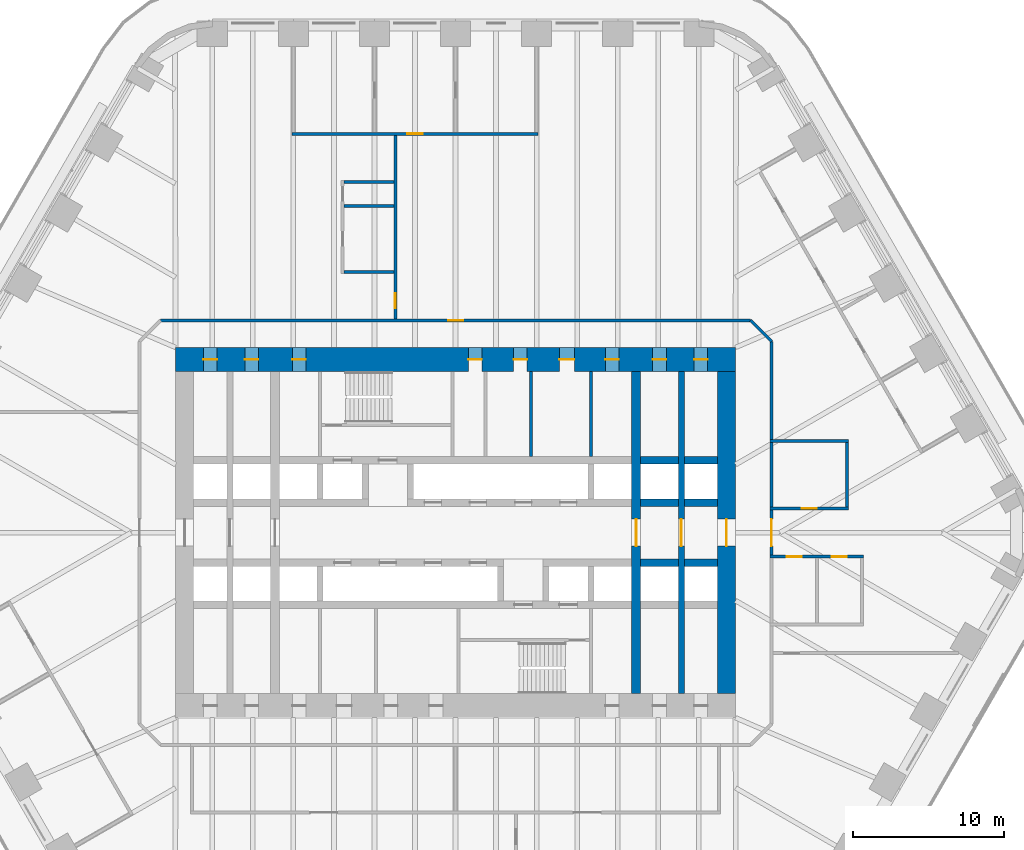
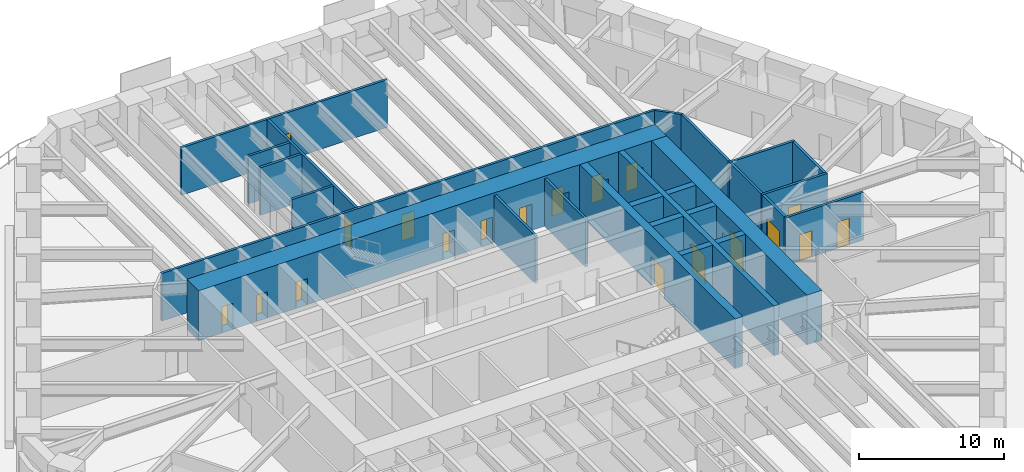
# One storey, part 19 of 24: 26 walls, 19 doors, 19 openings.
"""IFC4 building model written with IfcOpenShell, lengths in metres."""

from ifc_helpers import new_model, si_unit, direction, frame, frame_2d, origin, place, context, subcontext, project, spatial, rectangle, extrude, material, layer, layer_set, type_object, element, fill, save


model = new_model("IFC4")

# Units and contexts
model_context = context("Model", 3, precision=1e-05, world=origin(), true_north=direction((0.0, 1.0)))
body_context = subcontext(model_context, "Body", "Model", "MODEL_VIEW")
ifc_project = project(units=[si_unit("LENGTHUNIT", "METRE"), si_unit("AREAUNIT", "SQUARE_METRE"), si_unit("VOLUMEUNIT", "CUBIC_METRE"), si_unit("PLANEANGLEUNIT", "RADIAN"), si_unit("MASSUNIT", "GRAM", prefix="KILO")], contexts=[model_context])

# Site, building, storey
site_placement = place(None, origin())
site = spatial("IfcSite", under=ifc_project, at=site_placement, CompositionType="ELEMENT")
building_placement = place(site_placement, origin())
building = spatial("IfcBuilding", under=site, at=building_placement, Name="Tarfa Lantern Tower", CompositionType="ELEMENT")
storey_placement = place(building_placement, frame((0.0, 0.0, 73.89990234375)))
storey = spatial("IfcBuildingStorey", under=building, at=storey_placement, Name="L16", CompositionType="ELEMENT", Elevation=73.89990234375)

# Walls
ifc_material_1 = material(Name="Concrete blockwork", Category="masonry")
ifc_layer_1 = layer(ifc_material_1, 0.199951171875)
ifc_layer_set_1 = layer_set([ifc_layer_1], Name="IW1 BLOCKWORK PARTITION 200 EI 120")
wall_type_1 = type_object("IfcWallType", Name="IW1 BLOCKWORK PARTITION 200 EI 120", PredefinedType="PARTITIONING", material=ifc_layer_set_1)
for number, where, z_axis, x_axis, name in (
    (1, (9.0, 5.050048828125, 0.0), (0.0, 0.0, 1.0), (0.0, 1.0, 0.0), "Core partition"),
    (2, (5.0, 5.050048828125, 0.0), (0.0, 0.0, 1.0), (0.0, 1.0, 0.0), "Core partition"),
):
    element("IfcWall", number, at=place(storey_placement, frame(where, z_axis=z_axis, x_axis=x_axis)), inside=storey, type_object=wall_type_1, Name=name, PredefinedType="PARTITIONING", context=body_context, shape_type="SweptSolid", body=[
        extrude(rectangle(XDim=5.64990234375, YDim=0.199951171875, at=frame_2d((2.824951171875, 0.0))), origin(), (0.0, 0.0, 1.0), 4.0),
    ])

# Wall, opening, door
ifc_material_2 = material(Name="Gypsum board on steel studs", Category="steel")
ifc_layer_2 = layer(ifc_material_2, 0.2099609375)
ifc_layer_set_2 = layer_set([ifc_layer_2], Name="IW2 ACOUSTIC PARTITION 200")
wall_type_2 = type_object("IfcWallType", Name="IW2 ACOUSTIC PARTITION 200", PredefinedType="PARTITIONING", material=ifc_layer_set_2)
wall_1_placement = place(storey_placement, frame((5.488525390625, 26.5, 0.0), z_axis=(0.0, 0.0, 1.0), x_axis=(-1.0, 0.0, 0.0)))
wall_1 = element("IfcWall", 3, at=wall_1_placement, inside=storey, type_object=wall_type_2, Name="Partition", PredefinedType="PARTITIONING", context=body_context, shape_type="SweptSolid", body=[
    extrude(rectangle(XDim=16.36572265625, YDim=0.199951171875, at=frame_2d((8.182861328125, 0.0))), origin(), (0.0, 0.0, 1.0), 4.0),
])
opening_1_placement = place(wall_1_placement, frame((7.682861328125, 0.0, 0.0)))
opening_1 = element("IfcOpeningElement", 4, at=opening_1_placement, cuts=wall_1, Name="Opening D33", PredefinedType="OPENING", context=body_context, shape_type="SweptSolid", body=[
    extrude(rectangle(XDim=1.0, YDim=2.199951171875, at=frame_2d((0.5, 1.10009765625))), frame((0.0, 0.10986328125, 0.0), z_axis=(0.0, -1.0, 0.0), x_axis=(1.0, 0.0, 0.0)), (0.0, 0.0, 1.0), 0.219970703125),
])
ifc_material_3 = material(Name="Timber door", Category="wood")
door_type_1 = type_object("IfcDoorType", Name="DR1 ROOM DOOR 1000x2200", OperationType="SINGLE_SWING_LEFT", PredefinedType="DOOR", material=ifc_material_3)
door_1_placement = place(opening_1_placement, frame((1.0, 0.0, 0.0), z_axis=(0.0, 0.0, 1.0), x_axis=(-1.0, 0.0, 0.0)))
door_1 = element("IfcDoor", 5, at=door_1_placement, inside=storey, type_object=door_type_1, Name="Supplier reception door", OperationType="SINGLE_SWING_LEFT", OverallHeight=2.199951171875, OverallWidth=1.0, PredefinedType="DOOR", context=body_context, shape_type="SweptSolid", body=[
    extrude(rectangle(XDim=1.0, YDim=2.199951171875, at=frame_2d((0.5, 1.10009765625))), frame((0.0, 0.02490234375, 0.0), z_axis=(0.0, -1.0, 0.0), x_axis=(1.0, 0.0, 0.0)), (0.0, 0.0, 1.0), 0.050048828125),
])
fill(opening_1, door_1)

wall_2_placement = place(storey_placement, frame((20.89990234375, 1.60009765625, 0.0), z_axis=(0.0, 0.0, 1.0), x_axis=(1.0, 0.0, 0.0)))
wall_2 = element("IfcWall", 6, at=wall_2_placement, inside=storey, type_object=wall_type_2, Name="Partition", PredefinedType="PARTITIONING", context=body_context, shape_type="SweptSolid", body=[
    extrude(rectangle(XDim=5.2001953125, YDim=0.199951171875, at=frame_2d((2.60009765625, 0.0))), origin(), (0.0, 0.0, 1.0), 4.0),
])
opening_2_placement = place(wall_2_placement, frame((2.10009765625, 0.0, 0.0)))
opening_2 = element("IfcOpeningElement", 7, at=opening_2_placement, cuts=wall_2, Name="Opening D29", PredefinedType="OPENING", context=body_context, shape_type="SweptSolid", body=[
    extrude(rectangle(XDim=1.0, YDim=2.199951171875, at=frame_2d((0.5, 1.10009765625))), frame((0.0, 0.10986328125, 0.0), z_axis=(0.0, -1.0, 0.0), x_axis=(1.0, 0.0, 0.0)), (0.0, 0.0, 1.0), 0.219970703125),
])
door_2_placement = place(opening_2_placement, origin())
door_2 = element("IfcDoor", 8, at=door_2_placement, inside=storey, type_object=door_type_1, Name="Pantry door", OperationType="SINGLE_SWING_RIGHT", OverallHeight=2.199951171875, OverallWidth=1.0, PredefinedType="DOOR", context=body_context, shape_type="SweptSolid", body=[
    extrude(rectangle(XDim=1.0, YDim=2.199951171875, at=frame_2d((0.5, 1.10009765625))), frame((0.0, 0.02490234375, 0.0), z_axis=(0.0, -1.0, 0.0), x_axis=(1.0, 0.0, 0.0)), (0.0, 0.0, 1.0), 0.050048828125),
])
fill(opening_2, door_2)

# Walls
wall_3_placement = place(storey_placement, frame((20.89990234375, 6.10009765625, 0.0), z_axis=(0.0, 0.0, 1.0), x_axis=(1.0, 0.0, 0.0)))
element("IfcWall", 9, at=wall_3_placement, inside=storey, type_object=wall_type_2, Name="Partition", PredefinedType="PARTITIONING", context=body_context, shape_type="SweptSolid", body=[
    extrude(rectangle(XDim=5.2001953125, YDim=0.199951171875, at=frame_2d((2.60009765625, 0.0))), origin(), (0.0, 0.0, 1.0), 4.0),
])
for number, where, z_axis, x_axis, name in (
    (10, (21.0, 1.699951171875, 0.0), (0.0, 0.0, 1.0), (0.0, 1.0, 0.0), "Partition"),
    (11, (26.0, 1.699951171875, 0.0), (0.0, 0.0, 1.0), (0.0, 1.0, 0.0), "Partition"),
):
    element("IfcWall", number, at=place(storey_placement, frame(where, z_axis=z_axis, x_axis=x_axis)), inside=storey, type_object=wall_type_2, Name=name, PredefinedType="PARTITIONING", context=body_context, shape_type="SweptSolid", body=[
        extrude(rectangle(XDim=4.300048828125, YDim=0.199951171875, at=frame_2d((2.14990234375, 0.0))), origin(), (0.0, 0.0, 1.0), 4.0),
    ])

# Wall, openings, doors
wall_4_placement = place(storey_placement, frame((20.89990234375, -1.60009765625, 0.0), z_axis=(0.0, 0.0, 1.0), x_axis=(1.0, 0.0, 0.0)))
wall_4 = element("IfcWall", 12, at=wall_4_placement, inside=storey, type_object=wall_type_2, Name="Partition", PredefinedType="PARTITIONING", context=body_context, shape_type="SweptSolid", body=[
    extrude(rectangle(XDim=6.2001953125, YDim=0.199951171875, at=frame_2d((3.10009765625, 0.0))), origin(), (0.0, 0.0, 1.0), 4.0),
])
opening_3_placement = place(wall_4_placement, frame((1.10009765625, 0.0, 0.0)))
opening_3 = element("IfcOpeningElement", 13, at=opening_3_placement, cuts=wall_4, Name="Opening D30", PredefinedType="OPENING", context=body_context, shape_type="SweptSolid", body=[
    extrude(rectangle(XDim=1.0, YDim=2.199951171875, at=frame_2d((0.5, 1.10009765625))), frame((0.0, 0.10986328125, 0.0), z_axis=(0.0, -1.0, 0.0), x_axis=(1.0, 0.0, 0.0)), (0.0, 0.0, 1.0), 0.219970703125),
])
opening_4_placement = place(wall_4_placement, frame((4.10009765625, 0.0, 0.0)))
opening_4 = element("IfcOpeningElement", 14, at=opening_4_placement, cuts=wall_4, Name="Opening D31", PredefinedType="OPENING", context=body_context, shape_type="SweptSolid", body=[
    extrude(rectangle(XDim=1.0, YDim=2.199951171875, at=frame_2d((0.5, 1.10009765625))), frame((0.0, 0.10986328125, 0.0), z_axis=(0.0, -1.0, 0.0), x_axis=(1.0, 0.0, 0.0)), (0.0, 0.0, 1.0), 0.219970703125),
])
door_3_placement = place(opening_3_placement, frame((1.0, 0.0, 0.0), z_axis=(0.0, 0.0, 1.0), x_axis=(-1.0, 0.0, 0.0)))
door_3 = element("IfcDoor", 15, at=door_3_placement, inside=storey, type_object=door_type_1, Name="Buyer's office door", OperationType="SINGLE_SWING_LEFT", OverallHeight=2.199951171875, OverallWidth=1.0, PredefinedType="DOOR", context=body_context, shape_type="SweptSolid", body=[
    extrude(rectangle(XDim=1.0, YDim=2.199951171875, at=frame_2d((0.5, 1.10009765625))), frame((0.0, 0.02490234375, 0.0), z_axis=(0.0, -1.0, 0.0), x_axis=(1.0, 0.0, 0.0)), (0.0, 0.0, 1.0), 0.050048828125),
])
fill(opening_3, door_3)
door_4_placement = place(opening_4_placement, frame((1.0, 0.0, 0.0), z_axis=(0.0, 0.0, 1.0), x_axis=(-1.0, 0.0, 0.0)))
door_4 = element("IfcDoor", 16, at=door_4_placement, inside=storey, type_object=door_type_1, Name="Buyer's office door", OperationType="SINGLE_SWING_RIGHT", OverallHeight=2.199951171875, OverallWidth=1.0, PredefinedType="DOOR", context=body_context, shape_type="SweptSolid", body=[
    extrude(rectangle(XDim=1.0, YDim=2.199951171875, at=frame_2d((0.5, 1.10009765625))), frame((0.0, 0.02490234375, 0.0), z_axis=(0.0, -1.0, 0.0), x_axis=(1.0, 0.0, 0.0)), (0.0, 0.0, 1.0), 0.050048828125),
])
fill(opening_4, door_4)

# Wall, opening, door
wall_5_placement = place(storey_placement, frame((-19.60009765625, 14.10009765625, 0.0), z_axis=(0.0, 0.0, 1.0), x_axis=(1.0, 0.0, 0.0)))
wall_5 = element("IfcWall", 17, at=wall_5_placement, inside=storey, type_object=wall_type_2, Name="Partition", PredefinedType="PARTITIONING", context=body_context, shape_type="SweptSolid", body=[
    extrude(rectangle(XDim=39.2001953125, YDim=0.199951171875, at=frame_2d((19.60009765625, 0.0))), origin(), (0.0, 0.0, 1.0), 4.0),
])
opening_5_placement = place(wall_5_placement, frame((19.10009765625, 0.0, 0.0)))
opening_5 = element("IfcOpeningElement", 18, at=opening_5_placement, cuts=wall_5, Name="Opening D48", PredefinedType="OPENING", context=body_context, shape_type="SweptSolid", body=[
    extrude(rectangle(XDim=1.0, YDim=2.199951171875, at=frame_2d((0.5, 1.10009765625))), frame((0.0, 0.10986328125, 0.0), z_axis=(0.0, -1.0, 0.0), x_axis=(1.0, 0.0, 0.0)), (0.0, 0.0, 1.0), 0.219970703125),
])
door_5_placement = place(opening_5_placement, origin())
door_5 = element("IfcDoor", 19, at=door_5_placement, inside=storey, type_object=door_type_1, Name="Corridor door", OperationType="SINGLE_SWING_RIGHT", OverallHeight=2.199951171875, OverallWidth=1.0, PredefinedType="DOOR", context=body_context, shape_type="SweptSolid", body=[
    extrude(rectangle(XDim=1.0, YDim=2.199951171875, at=frame_2d((0.5, 1.10009765625))), frame((0.0, 0.02490234375, 0.0), z_axis=(0.0, -1.0, 0.0), x_axis=(1.0, 0.0, 0.0)), (0.0, 0.0, 1.0), 0.050048828125),
])
fill(opening_5, door_5)

# Wall
wall_6_placement = place(storey_placement, frame((19.60009765625, 14.10009765625, 0.0), z_axis=(0.0, 0.0, 1.0), x_axis=(0.707045124756, -0.707168432242, 0.0)))
element("IfcWall", 20, at=wall_6_placement, inside=storey, type_object=wall_type_2, Name="Partition", PredefinedType="PARTITIONING", context=body_context, shape_type="SweptSolid", body=[
    extrude(rectangle(XDim=1.97998046875, YDim=0.199951171875, at=frame_2d((0.989990234375, 0.0))), origin(), (0.0, 0.0, 1.0), 4.0),
])

# Wall, opening, door
wall_7_placement = place(storey_placement, frame((21.0, 1.4990234375, 0.0), z_axis=(0.0, 0.0, 1.0), x_axis=(0.0, -1.0, 0.0)))
wall_7 = element("IfcWall", 21, at=wall_7_placement, inside=storey, type_object=wall_type_2, Name="Partition", PredefinedType="PARTITIONING", context=body_context, shape_type="SweptSolid", body=[
    extrude(rectangle(XDim=2.998046875, YDim=0.199951171875, at=frame_2d((1.4990234375, 0.0))), origin(), (0.0, 0.0, 1.0), 4.0),
])
opening_6_placement = place(wall_7_placement, frame((0.59912109375, 0.0, 0.0)))
opening_6 = element("IfcOpeningElement", 22, at=opening_6_placement, cuts=wall_7, Name="Opening D47", PredefinedType="OPENING", context=body_context, shape_type="SweptSolid", body=[
    extrude(rectangle(XDim=1.800048828125, YDim=2.39990234375, at=frame_2d((0.89990234375, 1.199951171875))), frame((0.0, 0.10986328125, 0.0), z_axis=(0.0, -1.0, 0.0), x_axis=(1.0, 0.0, 0.0)), (0.0, 0.0, 1.0), 0.219970703125),
])
door_type_2 = type_object("IfcDoorType", Name="DR2 ROOM DOOR 1800x2400", OperationType="DOUBLE_DOOR_SINGLE_SWING", PredefinedType="DOOR", material=ifc_material_3)
door_6_placement = place(opening_6_placement, origin())
door_6 = element("IfcDoor", 23, at=door_6_placement, inside=storey, type_object=door_type_2, Name="Corridor door", OperationType="DOUBLE_DOOR_SINGLE_SWING", OverallHeight=2.39990234375, OverallWidth=1.800048828125, PredefinedType="DOOR", context=body_context, shape_type="SweptSolid", body=[
    extrude(rectangle(XDim=1.800048828125, YDim=2.39990234375, at=frame_2d((0.89990234375, 1.199951171875))), frame((0.0, 0.02490234375, 0.0), z_axis=(0.0, -1.0, 0.0), x_axis=(1.0, 0.0, 0.0)), (0.0, 0.0, 1.0), 0.050048828125),
])
fill(opening_6, door_6)

# Wall
wall_8_placement = place(storey_placement, frame((21.0, 12.699951171875, 0.0), z_axis=(0.0, 0.0, 1.0), x_axis=(0.0, -1.0, 0.0)))
element("IfcWall", 24, at=wall_8_placement, inside=storey, type_object=wall_type_2, Name="Partition", PredefinedType="PARTITIONING", context=body_context, shape_type="SweptSolid", body=[
    extrude(rectangle(XDim=6.4990234375, YDim=0.199951171875, at=frame_2d((3.24951171875, 0.0))), origin(), (0.0, 0.0, 1.0), 4.0),
])

# Wall, opening, door
wall_9_placement = place(storey_placement, frame((-4.0, 14.199951171875, 0.0), z_axis=(0.0, 0.0, 1.0), x_axis=(0.0, 1.0, 0.0)))
wall_9 = element("IfcWall", 25, at=wall_9_placement, inside=storey, type_object=wall_type_2, Name="Partition", PredefinedType="PARTITIONING", context=body_context, shape_type="SweptSolid", body=[
    extrude(rectangle(XDim=12.199951171875, YDim=0.199951171875, at=frame_2d((6.10009765625, 0.0))), origin(), (0.0, 0.0, 1.0), 4.0),
])
opening_7_placement = place(wall_9_placement, frame((0.719970703125, 0.0, 0.0)))
opening_7 = element("IfcOpeningElement", 26, at=opening_7_placement, cuts=wall_9, Name="Opening D51", PredefinedType="OPENING", context=body_context, shape_type="SweptSolid", body=[
    extrude(rectangle(XDim=1.0, YDim=2.199951171875, at=frame_2d((0.5, 1.10009765625))), frame((0.0, 0.10986328125, 0.0), z_axis=(0.0, -1.0, 0.0), x_axis=(1.0, 0.0, 0.0)), (0.0, 0.0, 1.0), 0.219970703125),
])
door_7_placement = place(opening_7_placement, origin())
door_7 = element("IfcDoor", 27, at=door_7_placement, inside=storey, type_object=door_type_1, Name="Zone door", OperationType="SINGLE_SWING_RIGHT", OverallHeight=2.199951171875, OverallWidth=1.0, PredefinedType="DOOR", context=body_context, shape_type="SweptSolid", body=[
    extrude(rectangle(XDim=1.0, YDim=2.199951171875, at=frame_2d((0.5, 1.10009765625))), frame((0.0, 0.02490234375, 0.0), z_axis=(0.0, -1.0, 0.0), x_axis=(1.0, 0.0, 0.0)), (0.0, 0.0, 1.0), 0.050048828125),
])
fill(opening_7, door_7)

# Walls
for number, where, z_axis, x_axis, name in (
    (28, (-4.10009765625, 17.300048828125, 0.0), (0.0, 0.0, 1.0), (-1.0, 0.0, 0.0), "Partition"),
    (29, (-4.10009765625, 21.699951171875, 0.0), (0.0, 0.0, 1.0), (-1.0, 0.0, 0.0), "Partition"),
    (30, (-4.10009765625, 23.300048828125, 0.0), (0.0, 0.0, 1.0), (-1.0, 0.0, 0.0), "Partition"),
):
    element("IfcWall", number, at=place(storey_placement, frame(where, z_axis=z_axis, x_axis=x_axis)), inside=storey, type_object=wall_type_2, Name=name, PredefinedType="PARTITIONING", context=body_context, shape_type="SweptSolid", body=[
        extrude(rectangle(XDim=3.2998046875, YDim=0.199951171875, at=frame_2d((1.64990234375, 0.0))), origin(), (0.0, 0.0, 1.0), 4.0),
    ])

# Wall, opening, door
ifc_material_4 = material(Name="Concrete C80/95", Category="concrete")
ifc_layer_3 = layer(ifc_material_4, 1.199951171875)
ifc_layer_set_3 = layer_set([ifc_layer_3], Name="SW1 CORE WALL 1200")
wall_type_3 = type_object("IfcWallType", Name="SW1 CORE WALL 1200", PredefinedType="SHEAR", material=ifc_layer_set_3)
wall_10_placement = place(storey_placement, frame((18.0, -10.699951171875, 0.0), z_axis=(0.0, 0.0, 1.0), x_axis=(0.0, 1.0, 0.0)))
wall_10 = element("IfcWall", 31, at=wall_10_placement, inside=storey, type_object=wall_type_3, Name="Core wall E", PredefinedType="SHEAR", context=body_context, shape_type="SweptSolid", body=[
    extrude(rectangle(XDim=21.39990234375, YDim=1.199951171875, at=frame_2d((10.699951171875, 0.0))), origin(), (0.0, 0.0, 1.0), 4.2001953125),
])
opening_8_placement = place(wall_10_placement, frame((9.800048828125, 0.0, 0.0)))
opening_8 = element("IfcOpeningElement", 32, at=opening_8_placement, cuts=wall_10, Name="Opening D15", PredefinedType="OPENING", context=body_context, shape_type="SweptSolid", body=[
    extrude(rectangle(XDim=1.800048828125, YDim=2.39990234375, at=frame_2d((0.89990234375, 1.199951171875))), frame((0.0, 0.60986328125, 0.0), z_axis=(0.0, -1.0, 0.0), x_axis=(1.0, 0.0, 0.0)), (0.0, 0.0, 1.0), 1.219970703125),
])
ifc_material_5 = material(Name="Steel fire door", Category="steel")
door_type_3 = type_object("IfcDoorType", Name="DL1 LOBBY DOOR 1800x2400", OperationType="DOUBLE_DOOR_SINGLE_SWING", PredefinedType="DOOR", material=ifc_material_5)
door_8_placement = place(opening_8_placement, frame((1.800048828125, 0.0, 0.0), z_axis=(0.0, 0.0, 1.0), x_axis=(-1.0, 0.0, 0.0)))
door_8 = element("IfcDoor", 33, at=door_8_placement, inside=storey, type_object=door_type_3, Name="Lift lobby door", OperationType="DOUBLE_DOOR_SINGLE_SWING", OverallHeight=2.39990234375, OverallWidth=1.800048828125, PredefinedType="DOOR", context=body_context, shape_type="SweptSolid", body=[
    extrude(rectangle(XDim=1.800048828125, YDim=2.39990234375, at=frame_2d((0.89990234375, 1.199951171875))), frame((0.0, 0.02490234375, 0.0), z_axis=(0.0, -1.0, 0.0), x_axis=(1.0, 0.0, 0.0)), (0.0, 0.0, 1.0), 0.050048828125),
])
fill(opening_8, door_8)

# Walls
ifc_layer_4 = layer(ifc_material_4, 0.5)
ifc_layer_set_4 = layer_set([ifc_layer_4], Name="SW5 CORE WALL 500")
wall_type_4 = type_object("IfcWallType", Name="SW5 CORE WALL 500", PredefinedType="SHEAR", material=ifc_layer_set_4)
wall_11_placement = place(storey_placement, frame((12.300048828125, 2.0, 0.0), z_axis=(0.0, 0.0, 1.0), x_axis=(1.0, 0.0, 0.0)))
element("IfcWall", 34, at=wall_11_placement, inside=storey, type_object=wall_type_4, Name="Core wall lobby east N", PredefinedType="SHEAR", context=body_context, shape_type="SweptSolid", body=[
    extrude(rectangle(XDim=2.5, YDim=0.5, at=frame_2d((1.25, 0.0))), origin(), (0.0, 0.0, 1.0), 4.2001953125),
])
wall_12_placement = place(storey_placement, frame((15.199951171875, 2.0, 0.0), z_axis=(0.0, 0.0, 1.0), x_axis=(1.0, 0.0, 0.0)))
element("IfcWall", 35, at=wall_12_placement, inside=storey, type_object=wall_type_4, Name="Core wall lobby east N", PredefinedType="SHEAR", context=body_context, shape_type="SweptSolid", body=[
    extrude(rectangle(XDim=2.199951171875, YDim=0.5, at=frame_2d((1.10009765625, 0.0))), origin(), (0.0, 0.0, 1.0), 4.2001953125),
])
wall_13_placement = place(storey_placement, frame((12.300048828125, 4.800048828125, 0.0), z_axis=(0.0, 0.0, 1.0), x_axis=(1.0, 0.0, 0.0)))
element("IfcWall", 36, at=wall_13_placement, inside=storey, type_object=wall_type_4, Name="Core wall rear N", PredefinedType="SHEAR", context=body_context, shape_type="SweptSolid", body=[
    extrude(rectangle(XDim=2.5, YDim=0.5, at=frame_2d((1.25, 0.0))), origin(), (0.0, 0.0, 1.0), 4.2001953125),
])
for number, where, z_axis, x_axis, name in (
    (37, (15.199951171875, 4.800048828125, 0.0), (0.0, 0.0, 1.0), (1.0, 0.0, 0.0), "Core wall rear N"),
    (38, (17.39990234375, -2.0, 0.0), (0.0, 0.0, 1.0), (-1.0, 0.0, 0.0), "Core wall lobby west S"),
):
    element("IfcWall", number, at=place(storey_placement, frame(where, z_axis=z_axis, x_axis=x_axis)), inside=storey, type_object=wall_type_4, Name=name, PredefinedType="SHEAR", context=body_context, shape_type="SweptSolid", body=[
        extrude(rectangle(XDim=2.199951171875, YDim=0.5, at=frame_2d((1.10009765625, 0.0))), origin(), (0.0, 0.0, 1.0), 4.2001953125),
    ])
wall_14_placement = place(storey_placement, frame((14.800048828125, -2.0, 0.0), z_axis=(0.0, 0.0, 1.0), x_axis=(-1.0, 0.0, 0.0)))
element("IfcWall", 39, at=wall_14_placement, inside=storey, type_object=wall_type_4, Name="Core wall lobby west S", PredefinedType="SHEAR", context=body_context, shape_type="SweptSolid", body=[
    extrude(rectangle(XDim=2.5, YDim=0.5, at=frame_2d((1.25, 0.0))), origin(), (0.0, 0.0, 1.0), 4.2001953125),
])

# Wall, opening, door
ifc_layer_5 = layer(ifc_material_4, 0.39990234375)
ifc_layer_set_5 = layer_set([ifc_layer_5], Name="SW6 CORE WALL 400")
wall_type_5 = type_object("IfcWallType", Name="SW6 CORE WALL 400", PredefinedType="SHEAR", material=ifc_layer_set_5)
wall_15_placement = place(storey_placement, frame((15.0, -10.699951171875, 0.0), z_axis=(0.0, 0.0, 1.0), x_axis=(0.0, 1.0, 0.0)))
wall_15 = element("IfcWall", 40, at=wall_15_placement, inside=storey, type_object=wall_type_5, Name="Core wall cross 15 m east", PredefinedType="SHEAR", context=body_context, shape_type="SweptSolid", body=[
    extrude(rectangle(XDim=21.39990234375, YDim=0.39990234375, at=frame_2d((10.699951171875, 0.0))), origin(), (0.0, 0.0, 1.0), 4.2001953125),
])
opening_9_placement = place(wall_15_placement, frame((9.800048828125, 0.0, 0.0)))
opening_9 = element("IfcOpeningElement", 41, at=opening_9_placement, cuts=wall_15, Name="Opening D26", PredefinedType="OPENING", context=body_context, shape_type="SweptSolid", body=[
    extrude(rectangle(XDim=1.800048828125, YDim=2.39990234375, at=frame_2d((0.89990234375, 1.199951171875))), frame((0.0, 0.2099609375, 0.0), z_axis=(0.0, -1.0, 0.0), x_axis=(1.0, 0.0, 0.0)), (0.0, 0.0, 1.0), 0.419921875),
])
door_9_placement = place(opening_9_placement, origin())
door_9 = element("IfcDoor", 42, at=door_9_placement, inside=storey, type_object=door_type_3, Name="Lift lobby door", OperationType="DOUBLE_DOOR_SINGLE_SWING", OverallHeight=2.39990234375, OverallWidth=1.800048828125, PredefinedType="DOOR", context=body_context, shape_type="SweptSolid", body=[
    extrude(rectangle(XDim=1.800048828125, YDim=2.39990234375, at=frame_2d((0.89990234375, 1.199951171875))), frame((0.0, 0.02490234375, 0.0), z_axis=(0.0, -1.0, 0.0), x_axis=(1.0, 0.0, 0.0)), (0.0, 0.0, 1.0), 0.050048828125),
])
fill(opening_9, door_9)

# Wall, openings, doors
ifc_layer_6 = layer(ifc_material_4, 1.60009765625)
ifc_layer_set_6 = layer_set([ifc_layer_6], Name="SW7 CORE WALL 1600")
wall_type_6 = type_object("IfcWallType", Name="SW7 CORE WALL 1600", PredefinedType="SHEAR", material=ifc_layer_set_6)
wall_16_placement = place(storey_placement, frame((-18.60009765625, 11.5, 0.0), z_axis=(0.0, 0.0, 1.0), x_axis=(1.0, 0.0, 0.0)))
wall_16 = element("IfcWall", 43, at=wall_16_placement, inside=storey, type_object=wall_type_6, Name="Core wall N", PredefinedType="SHEAR", context=body_context, shape_type="SweptSolid", body=[
    extrude(rectangle(XDim=37.2001953125, YDim=1.60009765625, at=frame_2d((18.60009765625, 0.0))), origin(), (0.0, 0.0, 1.0), 4.2001953125),
])
opening_10_placement = place(wall_16_placement, frame((19.449951171875, 0.0, 0.0)))
opening_10 = element("IfcOpeningElement", 44, at=opening_10_placement, cuts=wall_16, Name="Opening D17", PredefinedType="OPENING", context=body_context, shape_type="SweptSolid", body=[
    extrude(rectangle(XDim=0.89990234375, YDim=2.199951171875, at=frame_2d((0.449951171875, 1.10009765625))), frame((0.0, 0.81005859375, 0.0), z_axis=(0.0, -1.0, 0.0), x_axis=(1.0, 0.0, 0.0)), (0.0, 0.0, 1.0), 1.6201171875),
])
opening_11_placement = place(wall_16_placement, frame((22.449951171875, 0.0, 0.0)))
opening_11 = element("IfcOpeningElement", 45, at=opening_11_placement, cuts=wall_16, Name="Opening D19", PredefinedType="OPENING", context=body_context, shape_type="SweptSolid", body=[
    extrude(rectangle(XDim=0.89990234375, YDim=2.199951171875, at=frame_2d((0.449951171875, 1.10009765625))), frame((0.0, 0.81005859375, 0.0), z_axis=(0.0, -1.0, 0.0), x_axis=(1.0, 0.0, 0.0)), (0.0, 0.0, 1.0), 1.6201171875),
])
opening_12_placement = place(wall_16_placement, frame((25.5, 0.0, 0.0)))
opening_12 = element("IfcOpeningElement", 46, at=opening_12_placement, cuts=wall_16, Name="Opening D21", PredefinedType="OPENING", context=body_context, shape_type="SweptSolid", body=[
    extrude(rectangle(XDim=1.0, YDim=2.199951171875, at=frame_2d((0.5, 1.10009765625))), frame((0.0, 0.81005859375, 0.0), z_axis=(0.0, -1.0, 0.0), x_axis=(1.0, 0.0, 0.0)), (0.0, 0.0, 1.0), 1.6201171875),
])
opening_13_placement = place(wall_16_placement, frame((1.85009765625, 0.0, 0.0)))
opening_13 = element("IfcOpeningElement", 47, at=opening_13_placement, cuts=wall_16, Name="Opening D11", PredefinedType="OPENING", context=body_context, shape_type="SweptSolid", body=[
    extrude(rectangle(XDim=0.89990234375, YDim=2.199951171875, at=frame_2d((0.449951171875, 1.10009765625))), frame((0.0, 0.81005859375, 0.0), z_axis=(0.0, -1.0, 0.0), x_axis=(1.0, 0.0, 0.0)), (0.0, 0.0, 1.0), 1.6201171875),
])
opening_14_placement = place(wall_16_placement, frame((4.60009765625, 0.0, 0.0)))
opening_14 = element("IfcOpeningElement", 48, at=opening_14_placement, cuts=wall_16, Name="Opening D07", PredefinedType="OPENING", context=body_context, shape_type="SweptSolid", body=[
    extrude(rectangle(XDim=0.89990234375, YDim=2.199951171875, at=frame_2d((0.449951171875, 1.10009765625))), frame((0.0, 0.81005859375, 0.0), z_axis=(0.0, -1.0, 0.0), x_axis=(1.0, 0.0, 0.0)), (0.0, 0.0, 1.0), 1.6201171875),
])
opening_15_placement = place(wall_16_placement, frame((7.75, 0.0, 0.0)))
opening_15 = element("IfcOpeningElement", 49, at=opening_15_placement, cuts=wall_16, Name="Opening D09", PredefinedType="OPENING", context=body_context, shape_type="SweptSolid", body=[
    extrude(rectangle(XDim=0.89990234375, YDim=2.199951171875, at=frame_2d((0.449951171875, 1.10009765625))), frame((0.0, 0.81005859375, 0.0), z_axis=(0.0, -1.0, 0.0), x_axis=(1.0, 0.0, 0.0)), (0.0, 0.0, 1.0), 1.6201171875),
])
opening_16_placement = place(wall_16_placement, frame((28.550048828125, 0.0, 0.0)))
opening_16 = element("IfcOpeningElement", 50, at=opening_16_placement, cuts=wall_16, Name="Opening D05", PredefinedType="OPENING", context=body_context, shape_type="SweptSolid", body=[
    extrude(rectangle(XDim=0.89990234375, YDim=2.199951171875, at=frame_2d((0.449951171875, 1.10009765625))), frame((0.0, 0.81005859375, 0.0), z_axis=(0.0, -1.0, 0.0), x_axis=(1.0, 0.0, 0.0)), (0.0, 0.0, 1.0), 1.6201171875),
])
opening_17_placement = place(wall_16_placement, frame((31.699951171875, 0.0, 0.0)))
opening_17 = element("IfcOpeningElement", 51, at=opening_17_placement, cuts=wall_16, Name="Opening D01", PredefinedType="OPENING", context=body_context, shape_type="SweptSolid", body=[
    extrude(rectangle(XDim=0.89990234375, YDim=2.199951171875, at=frame_2d((0.449951171875, 1.10009765625))), frame((0.0, 0.81005859375, 0.0), z_axis=(0.0, -1.0, 0.0), x_axis=(1.0, 0.0, 0.0)), (0.0, 0.0, 1.0), 1.6201171875),
])
opening_18_placement = place(wall_16_placement, frame((34.449951171875, 0.0, 0.0)))
opening_18 = element("IfcOpeningElement", 52, at=opening_18_placement, cuts=wall_16, Name="Opening D03", PredefinedType="OPENING", context=body_context, shape_type="SweptSolid", body=[
    extrude(rectangle(XDim=0.89990234375, YDim=2.199951171875, at=frame_2d((0.449951171875, 1.10009765625))), frame((0.0, 0.81005859375, 0.0), z_axis=(0.0, -1.0, 0.0), x_axis=(1.0, 0.0, 0.0)), (0.0, 0.0, 1.0), 1.6201171875),
])
door_type_4 = type_object("IfcDoorType", Name="DF3 CORE ROOM DOOR 900x2200", OperationType="SINGLE_SWING_LEFT", PredefinedType="DOOR", material=ifc_material_5)
door_10_placement = place(opening_10_placement, frame((0.89990234375, 0.0, 0.0), z_axis=(0.0, 0.0, 1.0), x_axis=(-1.0, 0.0, 0.0)))
door_10 = element("IfcDoor", 53, at=door_10_placement, inside=storey, type_object=door_type_4, Name="Core door", OperationType="SINGLE_SWING_RIGHT", OverallHeight=2.199951171875, OverallWidth=0.89990234375, PredefinedType="DOOR", context=body_context, shape_type="SweptSolid", body=[
    extrude(rectangle(XDim=0.89990234375, YDim=2.199951171875, at=frame_2d((0.449951171875, 1.10009765625))), frame((0.0, 0.02490234375, 0.0), z_axis=(0.0, -1.0, 0.0), x_axis=(1.0, 0.0, 0.0)), (0.0, 0.0, 1.0), 0.050048828125),
])
fill(opening_10, door_10)
door_11_placement = place(opening_11_placement, frame((0.89990234375, 0.0, 0.0), z_axis=(0.0, 0.0, 1.0), x_axis=(-1.0, 0.0, 0.0)))
door_11 = element("IfcDoor", 54, at=door_11_placement, inside=storey, type_object=door_type_4, Name="Core door", OperationType="SINGLE_SWING_RIGHT", OverallHeight=2.199951171875, OverallWidth=0.89990234375, PredefinedType="DOOR", context=body_context, shape_type="SweptSolid", body=[
    extrude(rectangle(XDim=0.89990234375, YDim=2.199951171875, at=frame_2d((0.449951171875, 1.10009765625))), frame((0.0, 0.02490234375, 0.0), z_axis=(0.0, -1.0, 0.0), x_axis=(1.0, 0.0, 0.0)), (0.0, 0.0, 1.0), 0.050048828125),
])
fill(opening_11, door_11)
door_type_5 = type_object("IfcDoorType", Name="DF4 CORE ROOM DOOR 1000x2200", OperationType="SINGLE_SWING_LEFT", PredefinedType="DOOR", material=ifc_material_5)
door_12_placement = place(opening_12_placement, frame((1.0, 0.0, 0.0), z_axis=(0.0, 0.0, 1.0), x_axis=(-1.0, 0.0, 0.0)))
door_12 = element("IfcDoor", 55, at=door_12_placement, inside=storey, type_object=door_type_5, Name="Core door", OperationType="SINGLE_SWING_RIGHT", OverallHeight=2.199951171875, OverallWidth=1.0, PredefinedType="DOOR", context=body_context, shape_type="SweptSolid", body=[
    extrude(rectangle(XDim=1.0, YDim=2.199951171875, at=frame_2d((0.5, 1.10009765625))), frame((0.0, 0.02490234375, 0.0), z_axis=(0.0, -1.0, 0.0), x_axis=(1.0, 0.0, 0.0)), (0.0, 0.0, 1.0), 0.050048828125),
])
fill(opening_12, door_12)
door_type_6 = type_object("IfcDoorType", Name="DF5 RISER DOOR 900x2200", OperationType="SINGLE_SWING_LEFT", PredefinedType="DOOR", material=ifc_material_5)
door_13_placement = place(opening_13_placement, frame((0.89990234375, 0.0, 0.0), z_axis=(0.0, 0.0, 1.0), x_axis=(-1.0, 0.0, 0.0)))
door_13 = element("IfcDoor", 56, at=door_13_placement, inside=storey, type_object=door_type_6, Name="Riser door", OperationType="SINGLE_SWING_LEFT", OverallHeight=2.199951171875, OverallWidth=0.89990234375, PredefinedType="DOOR", context=body_context, shape_type="SweptSolid", body=[
    extrude(rectangle(XDim=0.89990234375, YDim=2.199951171875, at=frame_2d((0.449951171875, 1.10009765625))), frame((0.0, 0.02490234375, 0.0), z_axis=(0.0, -1.0, 0.0), x_axis=(1.0, 0.0, 0.0)), (0.0, 0.0, 1.0), 0.050048828125),
])
fill(opening_13, door_13)
door_14_placement = place(opening_14_placement, frame((0.89990234375, 0.0, 0.0), z_axis=(0.0, 0.0, 1.0), x_axis=(-1.0, 0.0, 0.0)))
door_14 = element("IfcDoor", 57, at=door_14_placement, inside=storey, type_object=door_type_6, Name="Riser door", OperationType="SINGLE_SWING_LEFT", OverallHeight=2.199951171875, OverallWidth=0.89990234375, PredefinedType="DOOR", context=body_context, shape_type="SweptSolid", body=[
    extrude(rectangle(XDim=0.89990234375, YDim=2.199951171875, at=frame_2d((0.449951171875, 1.10009765625))), frame((0.0, 0.02490234375, 0.0), z_axis=(0.0, -1.0, 0.0), x_axis=(1.0, 0.0, 0.0)), (0.0, 0.0, 1.0), 0.050048828125),
])
fill(opening_14, door_14)
door_15_placement = place(opening_15_placement, frame((0.89990234375, 0.0, 0.0), z_axis=(0.0, 0.0, 1.0), x_axis=(-1.0, 0.0, 0.0)))
door_15 = element("IfcDoor", 58, at=door_15_placement, inside=storey, type_object=door_type_6, Name="Riser door", OperationType="SINGLE_SWING_LEFT", OverallHeight=2.199951171875, OverallWidth=0.89990234375, PredefinedType="DOOR", context=body_context, shape_type="SweptSolid", body=[
    extrude(rectangle(XDim=0.89990234375, YDim=2.199951171875, at=frame_2d((0.449951171875, 1.10009765625))), frame((0.0, 0.02490234375, 0.0), z_axis=(0.0, -1.0, 0.0), x_axis=(1.0, 0.0, 0.0)), (0.0, 0.0, 1.0), 0.050048828125),
])
fill(opening_15, door_15)
door_16_placement = place(opening_16_placement, frame((0.89990234375, 0.0, 0.0), z_axis=(0.0, 0.0, 1.0), x_axis=(-1.0, 0.0, 0.0)))
door_16 = element("IfcDoor", 59, at=door_16_placement, inside=storey, type_object=door_type_6, Name="Riser door", OperationType="SINGLE_SWING_RIGHT", OverallHeight=2.199951171875, OverallWidth=0.89990234375, PredefinedType="DOOR", context=body_context, shape_type="SweptSolid", body=[
    extrude(rectangle(XDim=0.89990234375, YDim=2.199951171875, at=frame_2d((0.449951171875, 1.10009765625))), frame((0.0, 0.02490234375, 0.0), z_axis=(0.0, -1.0, 0.0), x_axis=(1.0, 0.0, 0.0)), (0.0, 0.0, 1.0), 0.050048828125),
])
fill(opening_16, door_16)
door_17_placement = place(opening_17_placement, frame((0.89990234375, 0.0, 0.0), z_axis=(0.0, 0.0, 1.0), x_axis=(-1.0, 0.0, 0.0)))
door_17 = element("IfcDoor", 60, at=door_17_placement, inside=storey, type_object=door_type_6, Name="Riser door", OperationType="SINGLE_SWING_RIGHT", OverallHeight=2.199951171875, OverallWidth=0.89990234375, PredefinedType="DOOR", context=body_context, shape_type="SweptSolid", body=[
    extrude(rectangle(XDim=0.89990234375, YDim=2.199951171875, at=frame_2d((0.449951171875, 1.10009765625))), frame((0.0, 0.02490234375, 0.0), z_axis=(0.0, -1.0, 0.0), x_axis=(1.0, 0.0, 0.0)), (0.0, 0.0, 1.0), 0.050048828125),
])
fill(opening_17, door_17)
door_18_placement = place(opening_18_placement, frame((0.89990234375, 0.0, 0.0), z_axis=(0.0, 0.0, 1.0), x_axis=(-1.0, 0.0, 0.0)))
door_18 = element("IfcDoor", 61, at=door_18_placement, inside=storey, type_object=door_type_6, Name="Riser door", OperationType="SINGLE_SWING_RIGHT", OverallHeight=2.199951171875, OverallWidth=0.89990234375, PredefinedType="DOOR", context=body_context, shape_type="SweptSolid", body=[
    extrude(rectangle(XDim=0.89990234375, YDim=2.199951171875, at=frame_2d((0.449951171875, 1.10009765625))), frame((0.0, 0.02490234375, 0.0), z_axis=(0.0, -1.0, 0.0), x_axis=(1.0, 0.0, 0.0)), (0.0, 0.0, 1.0), 0.050048828125),
])
fill(opening_18, door_18)

# Wall, opening, door
ifc_layer_7 = layer(ifc_material_4, 0.60009765625)
ifc_layer_set_7 = layer_set([ifc_layer_7], Name="SW9 CORE WALL 600")
wall_type_7 = type_object("IfcWallType", Name="SW9 CORE WALL 600", PredefinedType="SHEAR", material=ifc_layer_set_7)
wall_17_placement = place(storey_placement, frame((12.0, -10.699951171875, 0.0), z_axis=(0.0, 0.0, 1.0), x_axis=(0.0, 1.0, 0.0)))
wall_17 = element("IfcWall", 62, at=wall_17_placement, inside=storey, type_object=wall_type_7, Name="Core wall cross 12 m east", PredefinedType="SHEAR", context=body_context, shape_type="SweptSolid", body=[
    extrude(rectangle(XDim=21.39990234375, YDim=0.60009765625, at=frame_2d((10.699951171875, 0.0))), origin(), (0.0, 0.0, 1.0), 4.2001953125),
])
opening_19_placement = place(wall_17_placement, frame((9.800048828125, 0.0, 0.0)))
opening_19 = element("IfcOpeningElement", 63, at=opening_19_placement, cuts=wall_17, Name="Opening D25", PredefinedType="OPENING", context=body_context, shape_type="SweptSolid", body=[
    extrude(rectangle(XDim=1.800048828125, YDim=2.39990234375, at=frame_2d((0.89990234375, 1.199951171875))), frame((0.0, 0.31005859375, 0.0), z_axis=(0.0, -1.0, 0.0), x_axis=(1.0, 0.0, 0.0)), (0.0, 0.0, 1.0), 0.6201171875),
])
door_19_placement = place(opening_19_placement, origin())
door_19 = element("IfcDoor", 64, at=door_19_placement, inside=storey, type_object=door_type_3, Name="Lift lobby door", OperationType="DOUBLE_DOOR_SINGLE_SWING", OverallHeight=2.39990234375, OverallWidth=1.800048828125, PredefinedType="DOOR", context=body_context, shape_type="SweptSolid", body=[
    extrude(rectangle(XDim=1.800048828125, YDim=2.39990234375, at=frame_2d((0.89990234375, 1.199951171875))), frame((0.0, 0.02490234375, 0.0), z_axis=(0.0, -1.0, 0.0), x_axis=(1.0, 0.0, 0.0)), (0.0, 0.0, 1.0), 0.050048828125),
])
fill(opening_19, door_19)

save(model, "model.ifc")
